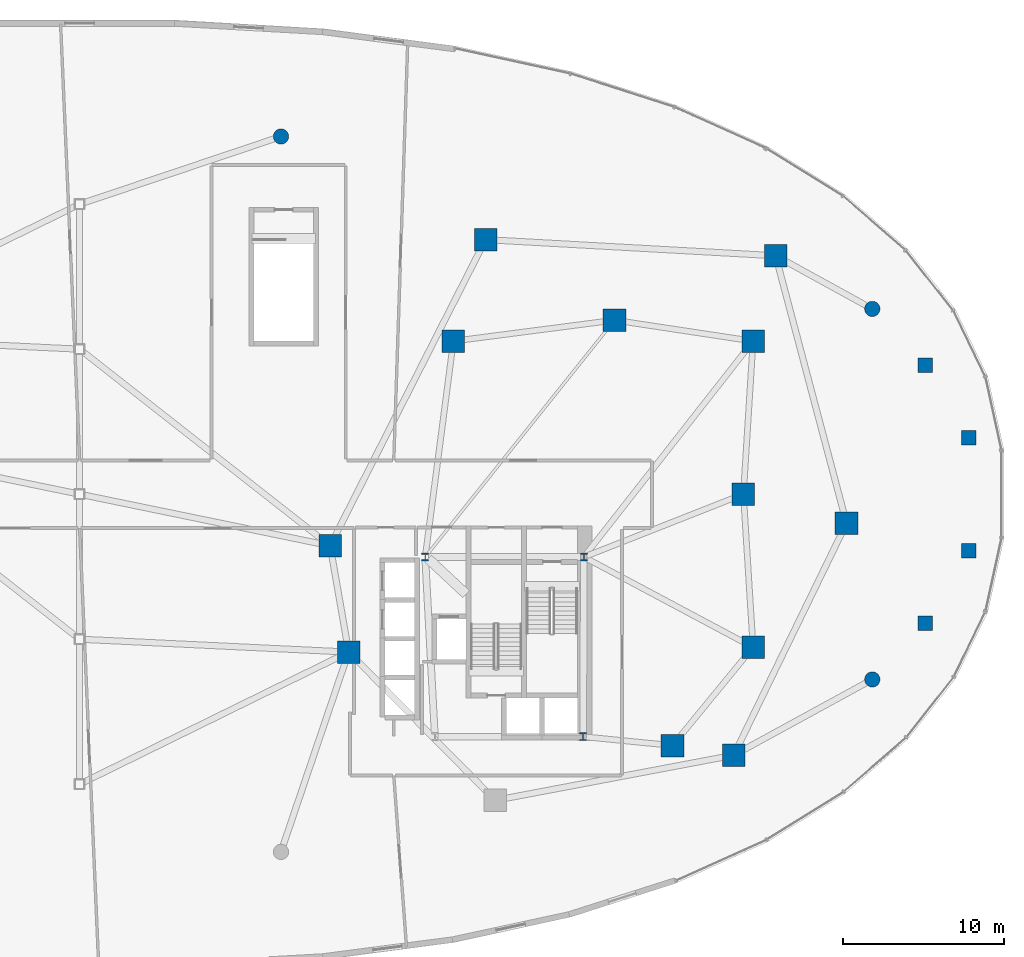
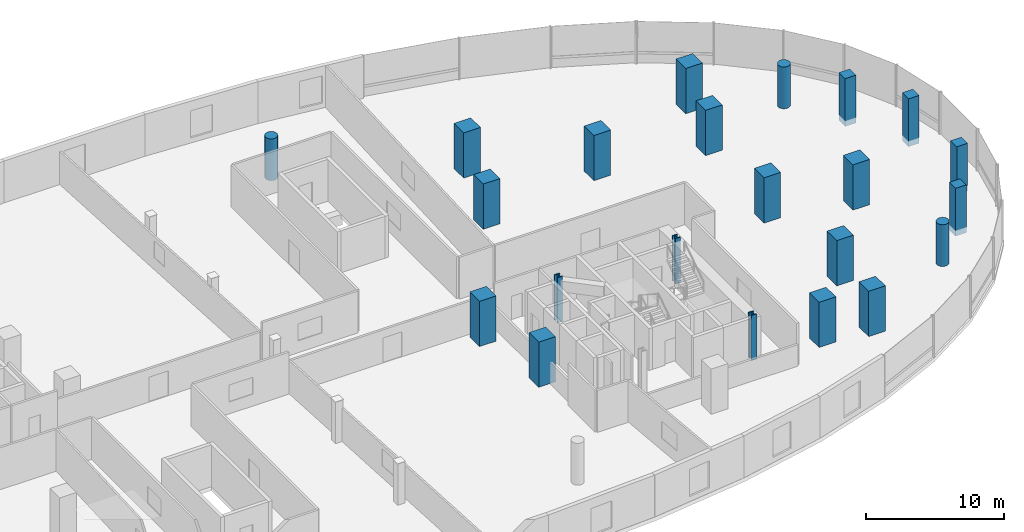
# One storey, part 2 of 18: 22 columns.
"""IFC4 building model written with IfcOpenShell, lengths in metres."""

import ifcopenshell
import ifcopenshell.guid

model = None  # the IFC model being written
_history = None  # IfcOwnerHistory: only IFC2X3 demands one
_inside = {}  # id of a spatial element -> (the spatial element, [elements in it])
_under = {}  # id of a project, library or spatial element -> (it, [spatial elements below it])
_declared = {}  # id of a project -> (the project, [libraries it declares])
_typed = {}  # id of a type object -> (the type object, [elements of that type])
_made_of = {}  # id of a material, layer set ... -> (it, [elements and type objects made of it])


def new_model(schema):
    """Start an empty IFC model of exactly this schema.

    Asked for "IFC4X3", IfcOpenShell would pick the latest addendum, in which some entities
    have other attributes; the version numbers below select the first issue.
    IFC2X3 requires an IfcOwnerHistory on every rooted entity: one is made here for all.
    """
    global model, _history
    if schema == "IFC4X3":
        model = ifcopenshell.file(schema_version=(4, 3, 0, 0))
    else:
        model = ifcopenshell.file(schema=schema)
    _inside.clear()
    _under.clear()
    _declared.clear()
    _typed.clear()
    _made_of.clear()
    _history = None
    if model.schema == "IFC2X3":
        org = make("IfcOrganization", Name="unknown")
        user = make(
            "IfcPersonAndOrganization",
            ThePerson=make("IfcPerson", FamilyName="unknown"),
            TheOrganization=org,
        )
        app = make(
            "IfcApplication",
            ApplicationDeveloper=org,
            Version="unknown",
            ApplicationFullName="unknown",
            ApplicationIdentifier="unknown",
        )
        _history = make(
            "IfcOwnerHistory",
            OwningUser=user,
            OwningApplication=app,
            ChangeAction="ADDED",
            CreationDate=0,
        )
    return model


def make(cls, **values):
    """One entity of the class cls with the attributes given. An attribute that is None is left unset."""
    return model.create_entity(
        cls, **{name: value for name, value in values.items() if value is not None}
    )


def rooted(cls, **values):
    """An entity with a GlobalId (a new one), such as an element, a storey or a relation."""
    return make(cls, GlobalId=ifcopenshell.guid.new(), OwnerHistory=_history, **values)


def si_unit(unit_type, name, prefix=None):
    """IfcSIUnit, for example si_unit("LENGTHUNIT", "METRE", prefix="MILLI")."""
    return make("IfcSIUnit", UnitType=unit_type, Prefix=prefix, Name=name)


def assignment(units):
    """IfcUnitAssignment: the units of a project."""
    return None if units is None else make("IfcUnitAssignment", Units=units)


def point(xyz):
    """IfcCartesianPoint."""
    return None if xyz is None else make("IfcCartesianPoint", Coordinates=xyz)


def direction(xyz):
    """IfcDirection."""
    return None if xyz is None else make("IfcDirection", DirectionRatios=xyz)


def frame(location, z_axis=None, x_axis=None):
    """IfcAxis2Placement3D, a coordinate frame: its origin and axes. An axis left out is left unset."""
    return make(
        "IfcAxis2Placement3D",
        Location=point(location),
        Axis=direction(z_axis),
        RefDirection=direction(x_axis),
    )


def frame_2d(location, x_axis=None):
    """IfcAxis2Placement2D, a coordinate frame in the plane: its origin and x axis."""
    return make(
        "IfcAxis2Placement2D", Location=point(location), RefDirection=direction(x_axis)
    )


def origin():
    """The frame at (0, 0, 0) with its axes left unset."""
    return frame((0.0, 0.0, 0.0))


def origin_2d():
    """The frame at (0, 0) in the plane with its x axis left unset."""
    return frame_2d((0.0, 0.0))


def place(relative_to, where):
    """IfcLocalPlacement: puts the frame where relative to a parent placement (None: the world)."""
    return make(
        "IfcLocalPlacement", PlacementRelTo=relative_to, RelativePlacement=where
    )


def context(
    kind, dimensions, precision=None, world=None, true_north=None, identifier=None
):
    """IfcGeometricRepresentationContext, for example the 3D "Model" context."""
    return make(
        "IfcGeometricRepresentationContext",
        ContextIdentifier=identifier,
        ContextType=kind,
        CoordinateSpaceDimension=dimensions,
        Precision=precision,
        WorldCoordinateSystem=world,
        TrueNorth=true_north,
    )


def subcontext(parent, identifier, kind, view, scale=None):
    """IfcGeometricRepresentationSubContext, for example "Body" below "Model"."""
    return make(
        "IfcGeometricRepresentationSubContext",
        ContextIdentifier=identifier,
        ContextType=kind,
        ParentContext=parent,
        TargetScale=scale,
        TargetView=view,
    )


def project(units=None, contexts=None):
    """IfcProject with its units and contexts."""
    return rooted(
        "IfcProject",
        Name="project",
        RepresentationContexts=contexts,
        UnitsInContext=assignment(units),
    )


def spatial(cls, under=None, at=None, **own):
    """A site, building, storey or space (cls), placed at a placement, below another one or the project."""
    s = rooted(cls, ObjectPlacement=at, **own)
    if under is not None:
        _under.setdefault(under.id(), (under, []))[1].append(s)
    return s


def profile(cls, at=None, kind="AREA", **sizes):
    """A parametric profile (cls). Its sizes go by their IFC names, for example OverallWidth=200.0."""
    return make(cls, ProfileType=kind, Position=at, **sizes)


def rectangle(**sizes):
    """IfcRectangleProfileDef."""
    return profile("IfcRectangleProfileDef", **sizes)


def circle(**sizes):
    """IfcCircleProfileDef."""
    return profile("IfcCircleProfileDef", **sizes)


def i_section(**sizes):
    """IfcIShapeProfileDef."""
    return profile("IfcIShapeProfileDef", **sizes)


def extrude(swept, where, along, depth):
    """IfcExtrudedAreaSolid: the profile swept, set in the frame where, extruded along a direction by depth."""
    return make(
        "IfcExtrudedAreaSolid",
        SweptArea=swept,
        Position=where,
        ExtrudedDirection=direction(along),
        Depth=depth,
    )


def shape(context_of_items, identifier, shape_type, items):
    """IfcShapeRepresentation: the items that make up one representation, for example the "Body"."""
    return make(
        "IfcShapeRepresentation",
        ContextOfItems=context_of_items,
        RepresentationIdentifier=identifier,
        RepresentationType=shape_type,
        Items=items,
    )


def material(Name=None, Category=None):
    """IfcMaterial."""
    return make("IfcMaterial", Name=Name, Category=Category)


def material_profile(
    of_material, cross_section, Name=None, Category=None, Priority=None
):
    """IfcMaterialProfile: a cross section and its material."""
    return make(
        "IfcMaterialProfile",
        Name=Name,
        Material=of_material,
        Profile=cross_section,
        Priority=Priority,
        Category=Category,
    )


def profile_set(profiles, Name=None, composite=None):
    """IfcMaterialProfileSet."""
    return make(
        "IfcMaterialProfileSet",
        Name=Name,
        MaterialProfiles=profiles,
        CompositeProfile=composite,
    )


def made_of(thing, what):
    """Note that an element or type object is made of a material, layer set ...; save() writes the relation."""
    if what is not None:
        _made_of.setdefault(what.id(), (what, []))[1].append(thing)
    return thing


def type_object(cls, material=None, **own):
    """A type object (cls), such as IfcWallType, which elements share."""
    return made_of(rooted(cls, **own), material)


def element(
    cls,
    number,
    at=None,
    inside=None,
    cuts=None,
    type_object=None,
    material=None,
    context=None,
    identifier="Body",
    shape_type=None,
    held_by="IfcProductDefinitionShape",
    body=None,
    shapes=None,
    **own,
):
    """One element of the class cls, such as IfcWall. Its Tag is "e" and its number.

    at: its placement. inside: the storey or other place that contains it. cuts: it is an
    opening in that element (IfcRelVoidsElement). A single representation is given by context,
    identifier, shape_type and body (its items); several are given by shapes. held_by: the class
    of the entity that holds the representations. save() writes the other relations.
    """
    e = rooted(cls, Tag="e%d" % number, ObjectPlacement=at, **own)
    if body is not None:
        shapes = [shape(context, identifier, shape_type, body)]
    if shapes is not None:
        e.Representation = make(held_by, Representations=shapes)
    if inside is not None:
        _inside.setdefault(inside.id(), (inside, []))[1].append(e)
    if cuts is not None:
        rooted(
            "IfcRelVoidsElement", RelatingBuildingElement=cuts, RelatedOpeningElement=e
        )
    if type_object is not None:
        _typed.setdefault(type_object.id(), (type_object, []))[1].append(e)
    return made_of(e, material)


def aggregate(whole, parts):
    """IfcRelAggregates: a whole, such as a stair, and the parts it consists of."""
    return rooted("IfcRelAggregates", RelatingObject=whole, RelatedObjects=parts)


def save(model, path):
    """Write the relations noted so far, then the file.

    IfcRelAggregates (storeys below a building ...), IfcRelContainedInSpatialStructure (elements
    in a storey), IfcRelDefinesByType, IfcRelAssociatesMaterial and IfcRelDeclares: one each for
    every whole, place, type object, material and project.
    """
    for whole, parts in _under.values():
        aggregate(whole, parts)
    for where, things in _inside.values():
        rooted(
            "IfcRelContainedInSpatialStructure",
            RelatedElements=things,
            RelatingStructure=where,
        )
    for kind, things in _typed.values():
        rooted("IfcRelDefinesByType", RelatedObjects=things, RelatingType=kind)
    for what, things in _made_of.values():
        rooted("IfcRelAssociatesMaterial", RelatedObjects=things, RelatingMaterial=what)
    for by, libraries in _declared.values():
        rooted("IfcRelDeclares", RelatingContext=by, RelatedDefinitions=libraries)
    model.write(path)


model = new_model("IFC4")

# Units and contexts
model_context = context("Model", 3, precision=1e-05, world=origin(), true_north=direction((0.0, 1.0)))
body_context = subcontext(model_context, "Body", "Model", "MODEL_VIEW")
ifc_project = project(units=[si_unit("LENGTHUNIT", "METRE"), si_unit("AREAUNIT", "SQUARE_METRE"), si_unit("VOLUMEUNIT", "CUBIC_METRE"), si_unit("PLANEANGLEUNIT", "RADIAN"), si_unit("MASSUNIT", "GRAM", prefix="KILO"), si_unit("THERMODYNAMICTEMPERATUREUNIT", "KELVIN"), si_unit("POWERUNIT", "WATT")], contexts=[model_context])

# Site, building, storey
site_placement = place(None, origin())
site = spatial("IfcSite", under=ifc_project, at=site_placement, CompositionType="ELEMENT")
building_placement = place(site_placement, origin())
building = spatial("IfcBuilding", under=site, at=building_placement, Name="Cundina Bronze Exchange", CompositionType="ELEMENT")
storey_placement = place(building_placement, frame((0.0, 0.0, 20.0)))
storey = spatial("IfcBuildingStorey", under=building, at=storey_placement, Name="L04", CompositionType="ELEMENT", Elevation=20.0)

# Columns
ifc_material_1 = material(Name="Concrete C60/75", Category="concrete")
ifc_material_profile_1 = material_profile(ifc_material_1, rectangle(XDim=1.39990234375, YDim=1.39990234375, at=origin_2d()), Name="RC1400X1400", Category="concrete")
ifc_profile_set_1 = profile_set([ifc_material_profile_1], Name="Concrete C60/75")
column_type_1 = type_object("IfcColumnType", Name="COL-MEGA-1400", PredefinedType="COLUMN", material=ifc_profile_set_1)
for number, where, z_axis, x_axis, name in (
    (1, (41.199951171875, 0.0, 0.0), (0.0, 0.0, 1.0), (1.0, 0.0, 0.0), "L04 E Inner Ring Column 1"),
    (2, (41.800048828125, -9.5, 0.0), (0.0, 0.0, 1.0), (1.0, 0.0, 0.0), "L04 E Inner Ring Column 2"),
    (3, (36.800048828125, -15.60009765625, 0.0), (0.0, 0.0, 1.0), (1.0, 0.0, 0.0), "L04 E Inner Ring Column 3"),
    (4, (41.800048828125, 9.5, 0.0), (0.0, 0.0, 1.0), (1.0, 0.0, 0.0), "L04 E Inner Ring Column 4"),
    (5, (33.199951171875, 10.800048828125, 0.0), (0.0, 0.0, 1.0), (1.0, 0.0, 0.0), "L04 E Inner Ring Column 5"),
    (6, (23.199951171875, 9.5, 0.0), (0.0, 0.0, 1.0), (1.0, 0.0, 0.0), "L04 E Inner Ring Column 6"),
    (7, (15.550048828125, -3.199951171875, 0.0), (0.0, 0.0, 1.0), (1.0, 0.0, 0.0), "L04 E Podium Mega-Column 00"),
    (8, (16.699951171875, -9.800048828125, 0.0), (0.0, 0.0, 1.0), (1.0, 0.0, 0.0), "L04 E Podium Mega-Column 02"),
    (9, (40.60009765625, -16.199951171875, 0.0), (0.0, 0.0, 1.0), (1.0, 0.0, 0.0), "L04 E Podium Mega-Column 06"),
    (10, (47.60009765625, -1.800048828125, 0.0), (0.0, 0.0, 1.0), (1.0, 0.0, 0.0), "L04 E Podium Mega-Column 08"),
    (11, (43.199951171875, 14.800048828125, 0.0), (0.0, 0.0, 1.0), (1.0, 0.0, 0.0), "L04 E Podium Mega-Column 10"),
    (12, (25.199951171875, 15.800048828125, 0.0), (0.0, 0.0, 1.0), (1.0, 0.0, 0.0), "L04 E Podium Mega-Column 12"),
):
    element("IfcColumn", number, at=place(storey_placement, frame(where, z_axis=z_axis, x_axis=x_axis)), inside=storey, type_object=column_type_1, Name=name, PredefinedType="COLUMN", context=body_context, shape_type="SweptSolid", body=[
        extrude(rectangle(XDim=1.39990234375, YDim=1.39990234375, at=origin_2d()), origin(), (0.0, 0.0, 1.0), 4.0),
    ])
ifc_material_2 = material(Name="Concrete C50/60", Category="concrete")
ifc_material_profile_2 = material_profile(ifc_material_2, circle(Radius=0.47509765625, at=origin_2d()), Name="RC950D", Category="concrete")
ifc_profile_set_2 = profile_set([ifc_material_profile_2], Name="Concrete C50/60")
column_type_2 = type_object("IfcColumnType", Name="COL-PIL-950D", PredefinedType="PILASTER", material=ifc_profile_set_2)
for number, where, z_axis, x_axis, name in (
    (13, (12.5, 22.199951171875, 0.0), (0.0, 0.0, 1.0), (1.0, 0.0, 0.0), "L04 Podium Colonnade Pilaster 04"),
    (14, (49.199951171875, 11.5, 0.0), (0.0, 0.0, 1.0), (1.0, 0.0, 0.0), "L04 Podium Colonnade Pilaster 07"),
    (15, (49.199951171875, -11.5, 0.0), (0.0, 0.0, 1.0), (1.0, 0.0, 0.0), "L04 Podium Colonnade Pilaster 08"),
):
    element("IfcColumn", number, at=place(storey_placement, frame(where, z_axis=z_axis, x_axis=x_axis)), inside=storey, type_object=column_type_2, Name=name, PredefinedType="PILASTER", context=body_context, shape_type="SweptSolid", body=[
        extrude(circle(Radius=0.47509765625, at=origin_2d()), origin(), (0.0, 0.0, 1.0), 3.695068359375),
    ])
ifc_material_3 = material(Name="Steel ASTM A992 Grade 50", Category="steel")
ifc_material_profile_3 = material_profile(ifc_material_3, i_section(OverallWidth=0.431884765625, OverallDepth=0.498046875, WebThickness=0.0556640625, FlangeThickness=0.0888671875, FilletRadius=0.01806640625, at=origin_2d()), Name="W14X500", Category="steel")
ifc_profile_set_3 = profile_set([ifc_material_profile_3], Name="Steel ASTM A992 Grade 50")
column_type_3 = type_object("IfcColumnType", Name="COL-STL-W14A", PredefinedType="COLUMN", material=ifc_profile_set_3)
for number, where, z_axis, x_axis, name in (
    (16, (31.300048828125, -3.89990234375, 0.0), (0.0, 0.0, 1.0), (1.0, 0.0, 0.0), "L04 Core Anchor Column E1"),
    (17, (21.449951171875, -3.89990234375, 0.0), (0.0, 0.0, 1.0), (1.0, 0.0, 0.0), "L04 Core Anchor Column E2"),
    (18, (31.25, -15.050048828125, 0.0), (0.0, 0.0, 1.0), (1.0, 0.0, 0.0), "L04 Core Anchor Column E4"),
):
    element("IfcColumn", number, at=place(storey_placement, frame(where, z_axis=z_axis, x_axis=x_axis)), inside=storey, type_object=column_type_3, Name=name, PredefinedType="COLUMN", context=body_context, shape_type="SweptSolid", body=[
        extrude(i_section(OverallWidth=0.431884765625, OverallDepth=0.498046875, WebThickness=0.0556640625, FlangeThickness=0.0888671875, FilletRadius=0.01806640625, at=origin_2d()), origin(), (0.0, 0.0, 1.0), 4.0),
    ])
ifc_material_profile_4 = material_profile(ifc_material_2, rectangle(XDim=0.89990234375, YDim=0.89990234375, at=origin_2d()), Name="RC900X900", Category="concrete")
ifc_profile_set_4 = profile_set([ifc_material_profile_4], Name="Concrete C50/60")
column_type_4 = type_object("IfcColumnType", Name="COL-Z4-900", PredefinedType="COLUMN", material=ifc_profile_set_4)
for number, where, z_axis, x_axis, name in (
    (19, (52.5, -8.0, -0.5), (0.0, 0.0, 1.0), (1.0, 0.0, 0.0), "L04 Podium Crescent Wing Column E1"),
    (20, (52.5, 8.0, -0.5), (0.0, 0.0, 1.0), (1.0, 0.0, 0.0), "L04 Podium Crescent Wing Column E2"),
    (21, (55.199951171875, -3.5, -0.5), (0.0, 0.0, 1.0), (1.0, 0.0, 0.0), "L04 Podium Crescent Wing Column E3"),
    (22, (55.199951171875, 3.5, -0.5), (0.0, 0.0, 1.0), (1.0, 0.0, 0.0), "L04 Podium Crescent Wing Column E4"),
):
    element("IfcColumn", number, at=place(storey_placement, frame(where, z_axis=z_axis, x_axis=x_axis)), inside=storey, type_object=column_type_4, Name=name, PredefinedType="COLUMN", context=body_context, shape_type="SweptSolid", body=[
        extrude(rectangle(XDim=0.89990234375, YDim=0.89990234375, at=origin_2d()), origin(), (0.0, 0.0, 1.0), 4.22998046875),
    ])

save(model, "model.ifc")
